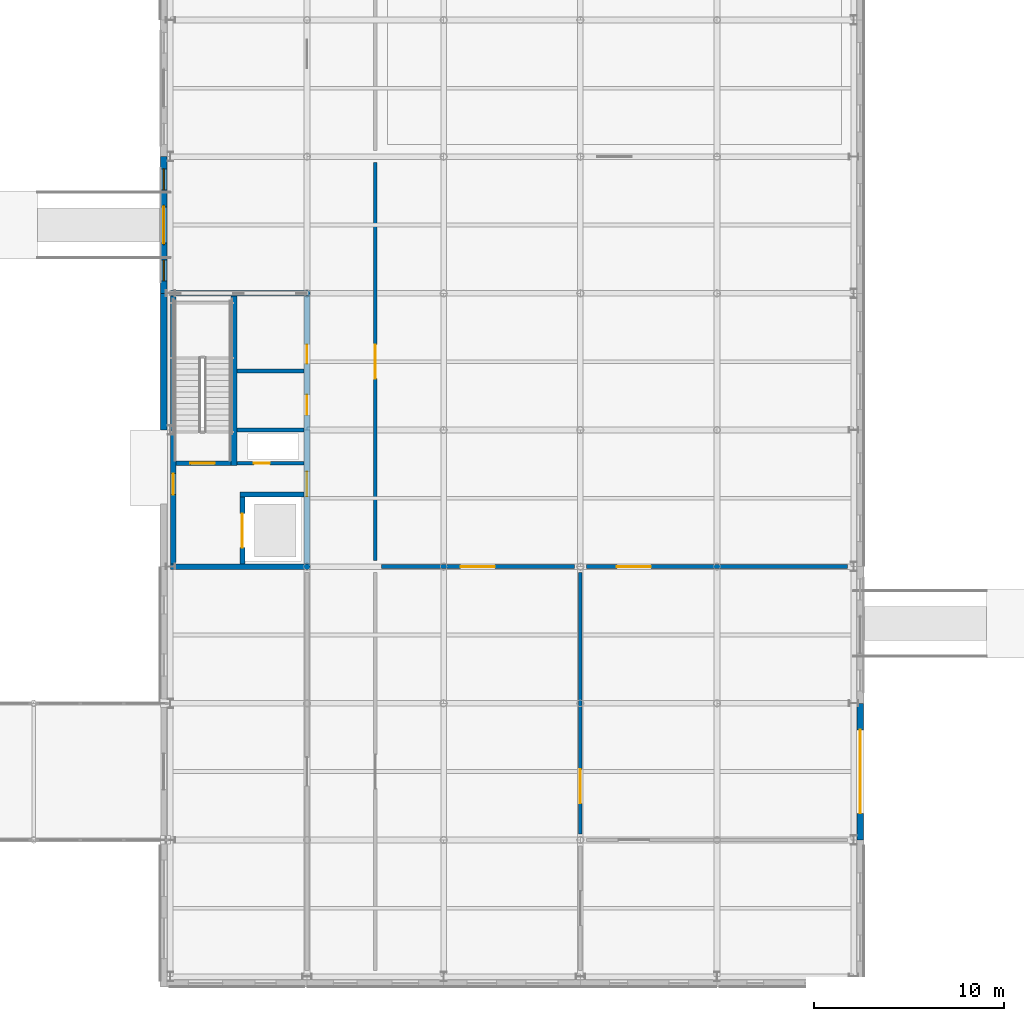
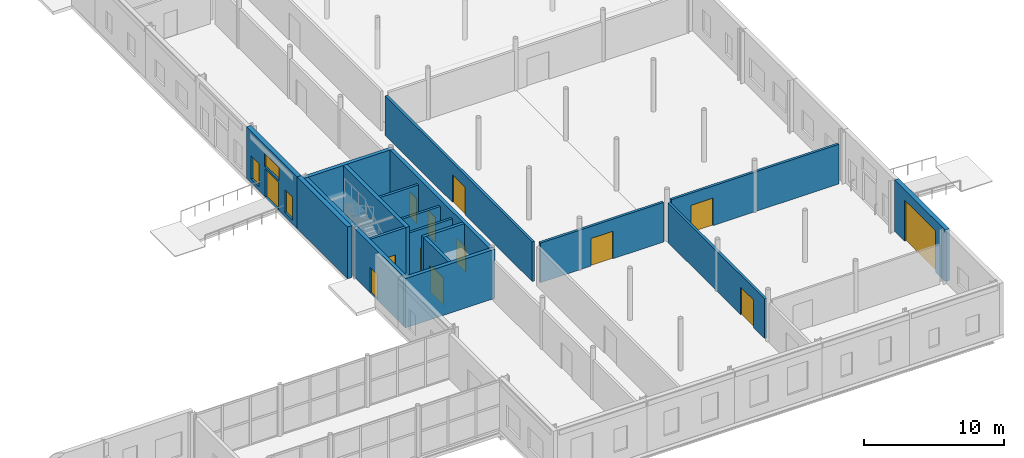
# One storey, part 67 of 92: 19 walls, 13 doors, 3 windows, 16 openings.
"""IFC4 building model written with IfcOpenShell, lengths in metres."""

from ifc_helpers import new_model, si_unit, direction, frame, frame_2d, origin, place, context, subcontext, project, spatial, rectangle, extrude, material, layer, layer_set, type_object, element, fill, save


model = new_model("IFC4")

# Units and contexts
model_context = context("Model", 3, precision=1e-05, world=origin(), true_north=direction((0.0, 1.0)))
body_context = subcontext(model_context, "Body", "Model", "MODEL_VIEW")
ifc_project = project(units=[si_unit("LENGTHUNIT", "METRE"), si_unit("AREAUNIT", "SQUARE_METRE"), si_unit("VOLUMEUNIT", "CUBIC_METRE"), si_unit("PLANEANGLEUNIT", "RADIAN"), si_unit("MASSUNIT", "GRAM", prefix="KILO")], contexts=[model_context])

# Site, building, storey
site_placement = place(None, origin())
site = spatial("IfcSite", under=ifc_project, at=site_placement, CompositionType="ELEMENT")
building_placement = place(site_placement, origin())
building = spatial("IfcBuilding", under=site, at=building_placement, Name="Zlatovets Crest Museum", CompositionType="ELEMENT")
storey_placement = place(building_placement, origin())
storey = spatial("IfcBuildingStorey", under=building, at=storey_placement, Name="L00", CompositionType="ELEMENT", Elevation=0.0)

# Walls
ifc_material_1 = material(Name="Concrete C35/45", Category="concrete")
ifc_layer_1 = layer(ifc_material_1, 0.300048828125)
ifc_layer_set_1 = layer_set([ifc_layer_1], Name="Concrete C35/45")
wall_type_1 = type_object("IfcWallType", Name="CoreWall_SW01", PredefinedType="SHEAR", material=ifc_layer_set_1)
for number, where, z_axis, x_axis, name in (
    (1, (129.60009765625, 36.0, 0.0), (0.0, 0.0, 1.0), (1.0, 0.0, 0.0), "Core C5 L00 South Shear Wall"),
    (2, (129.60009765625, 50.39990234375, 0.0), (0.0, 0.0, 1.0), (1.0, 0.0, 0.0), "Core C5 L00 North Shear Wall"),
):
    element("IfcWall", number, at=place(storey_placement, frame(where, z_axis=z_axis, x_axis=x_axis)), inside=storey, type_object=wall_type_1, Name=name, PredefinedType="SHEAR", context=body_context, shape_type="SweptSolid", body=[
        extrude(rectangle(XDim=7.349853515625, YDim=0.300048828125, at=frame_2d((3.6748046875, 0.0))), origin(), (0.0, 0.0, 1.0), 4.280029296875),
    ])

# Wall, opening, door
wall_1_placement = place(storey_placement, frame((129.75, 36.14990234375, 0.0), z_axis=(0.0, 0.0, 1.0), x_axis=(0.0, 1.0, 0.0)))
wall_1 = element("IfcWall", 3, at=wall_1_placement, inside=storey, type_object=wall_type_1, Name="Core C5 L00 Protected Lobby Exterior Shear Wall", PredefinedType="SHEAR", context=body_context, shape_type="SweptSolid", body=[
    extrude(rectangle(XDim=7.050048828125, YDim=0.300048828125, at=frame_2d((3.52490234375, 0.0))), origin(), (0.0, 0.0, 1.0), 4.280029296875),
])
opening_1_placement = place(wall_1_placement, frame((3.64990234375, 0.0, 0.0)))
opening_1 = element("IfcOpeningElement", 4, at=opening_1_placement, cuts=wall_1, Name="Opening ED-03", PredefinedType="OPENING", context=body_context, shape_type="SweptSolid", body=[
    extrude(rectangle(XDim=1.10009765625, YDim=2.199951171875, at=frame_2d((0.550048828125, 1.10009765625))), frame((0.0, 0.16015625, 0.0), z_axis=(0.0, -1.0, 0.0), x_axis=(1.0, 0.0, 0.0)), (0.0, 0.0, 1.0), 0.320068359375),
])
ifc_material_2 = material(Name="Bronze-clad insulated steel door", Category="steel")
door_type_1 = type_object("IfcDoorType", Name="ExtDoor_ED-03", OperationType="NOTDEFINED", PredefinedType="DOOR", material=ifc_material_2)
door_1_placement = place(opening_1_placement, origin())
door_1 = element("IfcDoor", 5, at=door_1_placement, inside=storey, type_object=door_type_1, Name="ED-ST5-EXIT Stair ST5 Direct Final Exterior Exit Door", OperationType="SINGLE_SWING_LEFT", OverallHeight=2.199951171875, OverallWidth=1.10009765625, PredefinedType="DOOR", context=body_context, shape_type="SweptSolid", body=[
    extrude(rectangle(XDim=1.10009765625, YDim=2.199951171875, at=frame_2d((0.550048828125, 1.10009765625))), frame((0.0, 0.02490234375, 0.0), z_axis=(0.0, -1.0, 0.0), x_axis=(1.0, 0.0, 0.0)), (0.0, 0.0, 1.0), 0.050048828125),
])
fill(opening_1, door_1)

# Wall
wall_2_placement = place(storey_placement, frame((129.75, 43.199951171875, 0.0), z_axis=(0.0, 0.0, 1.0), x_axis=(0.0, 1.0, 0.0)))
element("IfcWall", 6, at=wall_2_placement, inside=storey, type_object=wall_type_1, Name="Core C5 L00 Stairwell Perimeter Shear Wall", PredefinedType="SHEAR", context=body_context, shape_type="SweptSolid", body=[
    extrude(rectangle(XDim=7.050048828125, YDim=0.300048828125, at=frame_2d((3.52490234375, 0.0))), origin(), (0.0, 0.0, 1.0), 4.280029296875),
])

# Wall, openings, doors
wall_3_placement = place(storey_placement, frame((136.800048828125, 36.14990234375, 0.0), z_axis=(0.0, 0.0, 1.0), x_axis=(0.0, 1.0, 0.0)))
wall_3 = element("IfcWall", 7, at=wall_3_placement, inside=storey, type_object=wall_type_1, Name="Core C5 L00 Spine Shear Wall", PredefinedType="SHEAR", context=body_context, shape_type="SweptSolid", body=[
    extrude(rectangle(XDim=14.10009765625, YDim=0.300048828125, at=frame_2d((7.050048828125, 0.0))), origin(), (0.0, 0.0, 1.0), 4.280029296875),
])
opening_2_placement = place(wall_3_placement, frame((3.550048828125, 0.0, 0.0)))
opening_2 = element("IfcOpeningElement", 8, at=opening_2_placement, cuts=wall_3, Name="Opening FD-01", PredefinedType="OPENING", context=body_context, shape_type="SweptSolid", body=[
    extrude(rectangle(XDim=1.300048828125, YDim=2.199951171875, at=frame_2d((0.64990234375, 1.10009765625))), frame((0.0, 0.16015625, 0.0), z_axis=(0.0, -1.0, 0.0), x_axis=(1.0, 0.0, 0.0)), (0.0, 0.0, 1.0), 0.320068359375),
])
opening_3_placement = place(wall_3_placement, frame((7.85009765625, 0.0, 0.0)))
opening_3 = element("IfcOpeningElement", 9, at=opening_3_placement, cuts=wall_3, Name="Opening ID-02", PredefinedType="OPENING", context=body_context, shape_type="SweptSolid", body=[
    extrude(rectangle(XDim=1.050048828125, YDim=2.14990234375, at=frame_2d((0.52490234375, 1.074951171875))), frame((0.0, 0.16015625, 0.0), z_axis=(0.0, -1.0, 0.0), x_axis=(1.0, 0.0, 0.0)), (0.0, 0.0, 1.0), 0.320068359375),
])
opening_4_placement = place(wall_3_placement, frame((10.550048828125, 0.0, 0.0)))
opening_4 = element("IfcOpeningElement", 10, at=opening_4_placement, cuts=wall_3, Name="Opening ID-01", PredefinedType="OPENING", context=body_context, shape_type="SweptSolid", body=[
    extrude(rectangle(XDim=1.0, YDim=2.14990234375, at=frame_2d((0.5, 1.074951171875))), frame((0.0, 0.16015625, 0.0), z_axis=(0.0, -1.0, 0.0), x_axis=(1.0, 0.0, 0.0)), (0.0, 0.0, 1.0), 0.320068359375),
])
ifc_material_3 = material(Name="Smoke-sealed steel fire door", Category="steel")
door_type_2 = type_object("IfcDoorType", Name="IntDoor_FD-01", OperationType="NOTDEFINED", PredefinedType="DOOR", material=ifc_material_3)
door_2_placement = place(opening_2_placement, origin())
door_2 = element("IfcDoor", 11, at=door_2_placement, inside=storey, type_object=door_type_2, Name="CDOOR-C5-L00-LOB Core C5 L00 Lobby Fire Door", OperationType="SINGLE_SWING_RIGHT", OverallHeight=2.199951171875, OverallWidth=1.300048828125, PredefinedType="DOOR", context=body_context, shape_type="SweptSolid", body=[
    extrude(rectangle(XDim=1.300048828125, YDim=2.199951171875, at=frame_2d((0.64990234375, 1.10009765625))), frame((0.0, 0.02490234375, 0.0), z_axis=(0.0, -1.0, 0.0), x_axis=(1.0, 0.0, 0.0)), (0.0, 0.0, 1.0), 0.050048828125),
])
fill(opening_2, door_2)
ifc_material_4 = material(Name="Solid oak museum room door")
door_type_3 = type_object("IfcDoorType", Name="IntDoor_ID-01", OperationType="NOTDEFINED", PredefinedType="DOOR", material=ifc_material_4)
door_3_placement = place(opening_4_placement, origin())
door_3 = element("IfcDoor", 12, at=door_3_placement, inside=storey, type_object=door_type_3, Name="CDOOR-C5-L00-WC Core C5 L00 Public Restroom Door", OperationType="SINGLE_SWING_RIGHT", OverallHeight=2.14990234375, OverallWidth=1.0, PredefinedType="DOOR", context=body_context, shape_type="SweptSolid", body=[
    extrude(rectangle(XDim=1.0, YDim=2.14990234375, at=frame_2d((0.5, 1.074951171875))), frame((0.0, 0.02490234375, 0.0), z_axis=(0.0, -1.0, 0.0), x_axis=(1.0, 0.0, 0.0)), (0.0, 0.0, 1.0), 0.050048828125),
])
fill(opening_4, door_3)
ifc_material_5 = material(Name="Accessible sanitary room door")
door_type_4 = type_object("IfcDoorType", Name="IntDoor_ID-02", OperationType="NOTDEFINED", PredefinedType="DOOR", material=ifc_material_5)
door_4_placement = place(opening_3_placement, origin())
door_4 = element("IfcDoor", 13, at=door_4_placement, inside=storey, type_object=door_type_4, Name="CDOOR-C5-L00-AWC Core C5 L00 Accessible WC Door", OperationType="SINGLE_SWING_LEFT", OverallHeight=2.14990234375, OverallWidth=1.050048828125, PredefinedType="DOOR", context=body_context, shape_type="SweptSolid", body=[
    extrude(rectangle(XDim=1.050048828125, YDim=2.14990234375, at=frame_2d((0.52490234375, 1.074951171875))), frame((0.0, 0.02490234375, 0.0), z_axis=(0.0, -1.0, 0.0), x_axis=(1.0, 0.0, 0.0)), (0.0, 0.0, 1.0), 0.050048828125),
])
fill(opening_3, door_4)

# Wall
wall_4_placement = place(storey_placement, frame((132.949951171875, 41.340087890625, 0.0), z_axis=(0.0, 0.0, 1.0), x_axis=(0.0, 1.0, 0.0)))
element("IfcWall", 14, at=wall_4_placement, inside=storey, type_object=wall_type_1, Name="Core C5 L00 Stair Divider Wall", PredefinedType="SHEAR", context=body_context, shape_type="SweptSolid", body=[
    extrude(rectangle(XDim=8.909912109375, YDim=0.300048828125, at=frame_2d((4.455078125, 0.0))), origin(), (0.0, 0.0, 1.0), 4.280029296875),
])

# Wall, opening, door
ifc_layer_2 = layer(ifc_material_1, 0.25)
ifc_layer_set_2 = layer_set([ifc_layer_2], Name="Concrete C35/45")
wall_type_2 = type_object("IfcWallType", Name="CoreWall_SW02", PredefinedType="SHEAR", material=ifc_layer_set_2)
wall_5_placement = place(storey_placement, frame((133.39990234375, 36.14990234375, 0.0), z_axis=(0.0, 0.0, 1.0), x_axis=(0.0, 1.0, 0.0)))
wall_5 = element("IfcWall", 15, at=wall_5_placement, inside=storey, type_object=wall_type_2, Name="Core C5 L00 Lift Shaft Wall", PredefinedType="SHEAR", context=body_context, shape_type="SweptSolid", body=[
    extrude(rectangle(XDim=3.525146484375, YDim=0.25, at=frame_2d((1.7626953125, 0.0))), origin(), (0.0, 0.0, 1.0), 4.280029296875),
])
opening_5_placement = place(wall_5_placement, frame((0.85009765625, 0.0, 0.0)))
opening_5 = element("IfcOpeningElement", 16, at=opening_5_placement, cuts=wall_5, Name="Opening LD-02", PredefinedType="OPENING", context=body_context, shape_type="SweptSolid", body=[
    extrude(rectangle(XDim=1.800048828125, YDim=2.35009765625, at=frame_2d((0.89990234375, 1.175048828125))), frame((0.0, 0.135009765625, 0.0), z_axis=(0.0, -1.0, 0.0), x_axis=(1.0, 0.0, 0.0)), (0.0, 0.0, 1.0), 0.27001953125),
])
ifc_material_6 = material(Name="Heavy sliding goods-lift landing door")
door_type_5 = type_object("IfcDoorType", Name="IntDoor_LD-02", OperationType="SLIDING_TO_LEFT", PredefinedType="DOOR", material=ifc_material_6)
door_5_placement = place(opening_5_placement, origin())
door_5 = element("IfcDoor", 17, at=door_5_placement, inside=storey, type_object=door_type_5, Name="LDOOR-GL1-L00 Lift GL1 L00 Sliding Landing Door", OperationType="SLIDING_TO_LEFT", OverallHeight=2.35009765625, OverallWidth=1.800048828125, PredefinedType="DOOR", context=body_context, shape_type="SweptSolid", body=[
    extrude(rectangle(XDim=1.800048828125, YDim=2.35009765625, at=frame_2d((0.89990234375, 1.175048828125))), frame((0.0, 0.02490234375, 0.0), z_axis=(0.0, -1.0, 0.0), x_axis=(1.0, 0.0, 0.0)), (0.0, 0.0, 1.0), 0.050048828125),
])
fill(opening_5, door_5)

wall_6_placement = place(storey_placement, frame((129.89990234375, 41.449951171875, 0.0), z_axis=(0.0, 0.0, 1.0), x_axis=(1.0, 0.0, 0.0)))
wall_6 = element("IfcWall", 18, at=wall_6_placement, inside=storey, type_object=wall_type_2, Name="Core C5 L00 Stairwell Fire Wall", PredefinedType="SHEAR", context=body_context, shape_type="SweptSolid", body=[
    extrude(rectangle(XDim=2.900146484375, YDim=0.219970703125, at=frame_2d((1.4501953125, 0.0))), origin(), (0.0, 0.0, 1.0), 4.280029296875),
])
opening_6_placement = place(wall_6_placement, frame((0.75, 0.0, 0.0)))
opening_6 = element("IfcOpeningElement", 19, at=opening_6_placement, cuts=wall_6, Name="Opening FD-01", PredefinedType="OPENING", context=body_context, shape_type="SweptSolid", body=[
    extrude(rectangle(XDim=1.300048828125, YDim=2.199951171875, at=frame_2d((0.64990234375, 1.10009765625))), frame((0.0, 0.1201171875, 0.0), z_axis=(0.0, -1.0, 0.0), x_axis=(1.0, 0.0, 0.0)), (0.0, 0.0, 1.0), 0.239990234375),
])
door_6_placement = place(opening_6_placement, origin())
door_6 = element("IfcDoor", 20, at=door_6_placement, inside=storey, type_object=door_type_2, Name="SDOOR-ST5-L00 Stair ST5 L00 Fire Door", OperationType="SINGLE_SWING_LEFT", OverallHeight=2.199951171875, OverallWidth=1.300048828125, PredefinedType="DOOR", context=body_context, shape_type="SweptSolid", body=[
    extrude(rectangle(XDim=1.300048828125, YDim=2.199951171875, at=frame_2d((0.64990234375, 1.10009765625))), frame((0.0, 0.02490234375, 0.0), z_axis=(0.0, -1.0, 0.0), x_axis=(1.0, 0.0, 0.0)), (0.0, 0.0, 1.0), 0.050048828125),
])
fill(opening_6, door_6)

# Wall
wall_7_placement = place(storey_placement, frame((133.27490234375, 39.800048828125, 0.0), z_axis=(0.0, 0.0, 1.0), x_axis=(1.0, 0.0, 0.0)))
element("IfcWall", 21, at=wall_7_placement, inside=storey, type_object=wall_type_2, Name="Core C5 L00 Lift Shaft North Shear Wall", PredefinedType="SHEAR", context=body_context, shape_type="SweptSolid", body=[
    extrude(rectangle(XDim=3.375, YDim=0.25, at=frame_2d((1.6875, 0.0))), origin(), (0.0, 0.0, 1.0), 4.280029296875),
])

# Wall, opening, door
ifc_material_7 = material(Name="Vratsa limestone ashlar masonry and mineral wool", Category="masonry")
ifc_layer_3 = layer(ifc_material_7, 0.35009765625)
ifc_layer_set_3 = layer_set([ifc_layer_3], Name="Vratsa limestone ashlar masonry and mineral wool")
wall_type_3 = type_object("IfcWallType", Name="ExtWall_EW-01", PredefinedType="STANDARD", material=ifc_layer_set_3)
wall_8_placement = place(storey_placement, frame((165.93994140625, 21.60009765625, 0.0), z_axis=(0.0, 0.0, 1.0), x_axis=(0.0, 1.0, 0.0)))
wall_8 = element("IfcWall", 22, at=wall_8_placement, inside=storey, type_object=wall_type_3, Name="V5 L00 Sculpted Art Nouveau Portal Wall", PredefinedType="STANDARD", context=body_context, shape_type="SweptSolid", body=[
    extrude(rectangle(XDim=7.199951171875, YDim=0.35009765625, at=frame_2d((3.60009765625, 0.0))), origin(), (0.0, 0.0, 1.0), 4.5),
])
opening_7_placement = place(wall_8_placement, frame((1.39990234375, 0.0, 0.0)))
opening_7 = element("IfcOpeningElement", 23, at=opening_7_placement, cuts=wall_8, Name="Opening VD-01", PredefinedType="OPENING", context=body_context, shape_type="SweptSolid", body=[
    extrude(rectangle(XDim=4.39990234375, YDim=3.60009765625, at=frame_2d((2.199951171875, 1.800048828125))), frame((0.0, 0.18505859375, 0.0), z_axis=(0.0, -1.0, 0.0), x_axis=(1.0, 0.0, 0.0)), (0.0, 0.0, 1.0), 0.3701171875),
])
ifc_material_8 = material(Name="Insulated steel roller-shutter loading gate", Category="steel")
door_type_6 = type_object("IfcDoorType", Name="ExtDoor_VD-01", OperationType="NOTDEFINED", PredefinedType="GATE", material=ifc_material_8)
door_7_placement = place(opening_7_placement, origin())
door_7 = element("IfcDoor", 24, at=door_7_placement, inside=storey, type_object=door_type_6, Name="VD-V5-L00-DOCK Loading Dock Roller Shutter Gate VD-01", OperationType="ROLLINGUP", OverallHeight=3.60009765625, OverallWidth=4.39990234375, PredefinedType="GATE", context=body_context, shape_type="SweptSolid", body=[
    extrude(rectangle(XDim=4.39990234375, YDim=3.60009765625, at=frame_2d((2.199951171875, 1.800048828125))), frame((0.0, 0.02490234375, 0.0), z_axis=(0.0, -1.0, 0.0), x_axis=(1.0, 0.0, 0.0)), (0.0, 0.0, 1.0), 0.050048828125),
])
fill(opening_7, door_7)

# Wall, openings, door, windows
wall_9_placement = place(storey_placement, frame((129.260009765625, 57.60009765625, 0.0), z_axis=(0.0, 0.0, 1.0), x_axis=(0.0, -1.0, 0.0)))
wall_9 = element("IfcWall", 25, at=wall_9_placement, inside=storey, type_object=wall_type_3, Name="V5 L00 Sculpted Art Nouveau Portal Wall", PredefinedType="STANDARD", context=body_context, shape_type="SweptSolid", body=[
    extrude(rectangle(XDim=7.2001953125, YDim=0.35009765625, at=frame_2d((3.60009765625, 0.0))), origin(), (0.0, 0.0, 1.0), 4.5),
])
opening_8_placement = place(wall_9_placement, frame((2.64990234375, 0.0, 0.0)))
opening_8 = element("IfcOpeningElement", 26, at=opening_8_placement, cuts=wall_9, Name="Opening ED-02", PredefinedType="OPENING", context=body_context, shape_type="SweptSolid", body=[
    extrude(rectangle(XDim=1.89990234375, YDim=2.449951171875, at=frame_2d((0.949951171875, 1.22509765625))), frame((0.0, 0.18505859375, 0.0), z_axis=(0.0, -1.0, 0.0), x_axis=(1.0, 0.0, 0.0)), (0.0, 0.0, 1.0), 0.3701171875),
])
opening_9_placement = place(wall_9_placement, frame((2.550048828125, 0.0, 2.60009765625)))
opening_9 = element("IfcOpeningElement", 27, at=opening_9_placement, cuts=wall_9, Name="Opening WN-13", PredefinedType="OPENING", context=body_context, shape_type="SweptSolid", body=[
    extrude(rectangle(XDim=2.10009765625, YDim=1.14990234375, at=frame_2d((1.050048828125, 0.574951171875))), frame((0.0, 0.18505859375, 0.0), z_axis=(0.0, -1.0, 0.0), x_axis=(1.0, 0.0, 0.0)), (0.0, 0.0, 1.0), 0.3701171875),
])
opening_10_placement = place(wall_9_placement, frame((0.64990234375, 0.0, 0.35009765625)))
opening_10 = element("IfcOpeningElement", 28, at=opening_10_placement, cuts=wall_9, Name="Opening WN-06", PredefinedType="OPENING", context=body_context, shape_type="SweptSolid", body=[
    extrude(rectangle(XDim=1.10009765625, YDim=2.0, at=frame_2d((0.550048828125, 1.0))), frame((0.0, 0.18505859375, 0.0), z_axis=(0.0, -1.0, 0.0), x_axis=(1.0, 0.0, 0.0)), (0.0, 0.0, 1.0), 0.3701171875),
])
opening_11_placement = place(wall_9_placement, frame((5.449951171875, 0.0, 0.35009765625)))
opening_11 = element("IfcOpeningElement", 29, at=opening_11_placement, cuts=wall_9, Name="Opening WN-06", PredefinedType="OPENING", context=body_context, shape_type="SweptSolid", body=[
    extrude(rectangle(XDim=1.10009765625, YDim=2.0, at=frame_2d((0.550048828125, 1.0))), frame((0.0, 0.18505859375, 0.0), z_axis=(0.0, -1.0, 0.0), x_axis=(1.0, 0.0, 0.0)), (0.0, 0.0, 1.0), 0.3701171875),
])
door_type_7 = type_object("IfcDoorType", Name="ExtDoor_ED-02", OperationType="NOTDEFINED", PredefinedType="DOOR", material=ifc_material_2)
door_8_placement = place(opening_8_placement, origin())
door_8 = element("IfcDoor", 30, at=door_8_placement, inside=storey, type_object=door_type_7, Name="ED-V5-L00-P045 CONSERVATION COURT PORTAL Exit Door", OperationType="DOUBLE_DOOR_SINGLE_SWING", OverallHeight=2.449951171875, OverallWidth=1.89990234375, PredefinedType="DOOR", context=body_context, shape_type="SweptSolid", body=[
    extrude(rectangle(XDim=1.89990234375, YDim=2.449951171875, at=frame_2d((0.949951171875, 1.22509765625))), frame((0.0, 0.02490234375, 0.0), z_axis=(0.0, -1.0, 0.0), x_axis=(1.0, 0.0, 0.0)), (0.0, 0.0, 1.0), 0.050048828125),
])
fill(opening_8, door_8)
ifc_material_9 = material(Name="Bronze-anodised aluminium frame with low-E triple glass", Category="aluminium")
window_type_1 = type_object("IfcWindowType", Name="Win_WN-06", PartitioningType="SINGLE_PANEL", PredefinedType="WINDOW", material=ifc_material_9)
window_1_placement = place(opening_10_placement, origin())
window_1 = element("IfcWindow", 31, at=window_1_placement, inside=storey, type_object=window_type_1, Name="CONSERVATION COURT PORTAL Glazed Portal Sidelight 1", OverallHeight=2.0, OverallWidth=1.10009765625, PartitioningType="SINGLE_PANEL", PredefinedType="WINDOW", context=body_context, shape_type="SweptSolid", body=[
    extrude(rectangle(XDim=1.10009765625, YDim=2.0, at=frame_2d((0.550048828125, 1.0))), frame((0.0, 0.030029296875, 0.0), z_axis=(0.0, -1.0, 0.0), x_axis=(1.0, 0.0, 0.0)), (0.0, 0.0, 1.0), 0.06005859375),
])
fill(opening_10, window_1)
window_2_placement = place(opening_11_placement, origin())
window_2 = element("IfcWindow", 32, at=window_2_placement, inside=storey, type_object=window_type_1, Name="CONSERVATION COURT PORTAL Glazed Portal Sidelight 2", OverallHeight=2.0, OverallWidth=1.10009765625, PartitioningType="SINGLE_PANEL", PredefinedType="WINDOW", context=body_context, shape_type="SweptSolid", body=[
    extrude(rectangle(XDim=1.10009765625, YDim=2.0, at=frame_2d((0.550048828125, 1.0))), frame((0.0, 0.030029296875, 0.0), z_axis=(0.0, -1.0, 0.0), x_axis=(1.0, 0.0, 0.0)), (0.0, 0.0, 1.0), 0.06005859375),
])
fill(opening_11, window_2)
window_type_2 = type_object("IfcWindowType", Name="Win_WN-13", PartitioningType="SINGLE_PANEL", PredefinedType="WINDOW", material=ifc_material_9)
window_3_placement = place(opening_9_placement, origin())
window_3 = element("IfcWindow", 33, at=window_3_placement, inside=storey, type_object=window_type_2, Name="CONSERVATION COURT PORTAL Arched Portal Fanlight", OverallHeight=1.14990234375, OverallWidth=2.10009765625, PartitioningType="SINGLE_PANEL", PredefinedType="WINDOW", context=body_context, shape_type="SweptSolid", body=[
    extrude(rectangle(XDim=2.10009765625, YDim=1.14990234375, at=frame_2d((1.050048828125, 0.574951171875))), frame((0.0, 0.030029296875, 0.0), z_axis=(0.0, -1.0, 0.0), x_axis=(1.0, 0.0, 0.0)), (0.0, 0.0, 1.0), 0.06005859375),
])
fill(opening_9, window_3)

# Wall
wall_10_placement = place(storey_placement, frame((129.260009765625, 50.39990234375, 0.0), z_axis=(0.0, 0.0, 1.0), x_axis=(0.0, -1.0, 0.0)))
element("IfcWall", 34, at=wall_10_placement, inside=storey, type_object=wall_type_3, Name="V5 L00 Vratsa Limestone Core Plinth", PredefinedType="STANDARD", context=body_context, shape_type="SweptSolid", body=[
    extrude(rectangle(XDim=7.199951171875, YDim=0.35009765625, at=frame_2d((3.60009765625, 0.0))), origin(), (0.0, 0.0, 1.0), 4.5),
])

# Wall, opening, door
ifc_material_10 = material(Name="Gypsum-encased fire compartment partition")
ifc_layer_4 = layer(ifc_material_10, 0.199951171875)
ifc_layer_set_4 = layer_set([ifc_layer_4], Name="Gypsum-encased fire compartment partition")
wall_type_4 = type_object("IfcWallType", Name="PartWall_PT-01", PredefinedType="PARTITIONING", material=ifc_layer_set_4)
wall_11_placement = place(storey_placement, frame((140.39990234375, 36.320068359375, 0.0), z_axis=(0.0, 0.0, 1.0), x_axis=(0.0, 1.0, 0.0)))
wall_11 = element("IfcWall", 35, at=wall_11_placement, inside=storey, type_object=wall_type_4, Name="V5 L00 Interior Partition PT-01", PredefinedType="PARTITIONING", context=body_context, shape_type="SweptSolid", body=[
    extrude(rectangle(XDim=20.9599609375, YDim=0.199951171875, at=frame_2d((10.47998046875, 0.0))), origin(), (0.0, 0.0, 1.0), 3.449951171875),
])
opening_12_placement = place(wall_11_placement, frame((9.580078125, 0.0, 0.0)))
opening_12 = element("IfcOpeningElement", 36, at=opening_12_placement, cuts=wall_11, Name="Opening FD-04", PredefinedType="OPENING", context=body_context, shape_type="SweptSolid", body=[
    extrude(rectangle(XDim=1.800048828125, YDim=2.39990234375, at=frame_2d((0.89990234375, 1.199951171875))), frame((0.0, 0.10986328125, 0.0), z_axis=(0.0, -1.0, 0.0), x_axis=(1.0, 0.0, 0.0)), (0.0, 0.0, 1.0), 0.219970703125),
])
ifc_material_11 = material(Name="Archive vault heavy fire door")
door_type_8 = type_object("IfcDoorType", Name="IntDoor_FD-04", OperationType="DOUBLE_DOOR_SINGLE_SWING", PredefinedType="DOOR", material=ifc_material_11)
door_9_placement = place(opening_12_placement, origin())
door_9 = element("IfcDoor", 37, at=door_9_placement, inside=storey, type_object=door_type_8, Name="IDOOR-V5-L00-0081 Conservation Ground Corridor to Collection Transit Archive Door", OperationType="DOUBLE_DOOR_SINGLE_SWING", OverallHeight=2.39990234375, OverallWidth=1.800048828125, PredefinedType="DOOR", context=body_context, shape_type="SweptSolid", body=[
    extrude(rectangle(XDim=1.800048828125, YDim=2.39990234375, at=frame_2d((0.89990234375, 1.199951171875))), frame((0.0, 0.02490234375, 0.0), z_axis=(0.0, -1.0, 0.0), x_axis=(1.0, 0.0, 0.0)), (0.0, 0.0, 1.0), 0.050048828125),
])
fill(opening_12, door_9)

wall_12_placement = place(storey_placement, frame((151.199951171875, 21.919921875, 0.0), z_axis=(0.0, 0.0, 1.0), x_axis=(0.0, 1.0, 0.0)))
wall_12 = element("IfcWall", 38, at=wall_12_placement, inside=storey, type_object=wall_type_4, Name="V5 L00 Interior Partition PT-01", PredefinedType="PARTITIONING", context=body_context, shape_type="SweptSolid", body=[
    extrude(rectangle(XDim=13.760009765625, YDim=0.199951171875, at=frame_2d((6.8798828125, 0.0))), origin(), (0.0, 0.0, 1.0), 3.449951171875),
])
opening_13_placement = place(wall_12_placement, frame((1.601806640625, 0.0, 0.0)))
opening_13 = element("IfcOpeningElement", 39, at=opening_13_placement, cuts=wall_12, Name="Opening FD-04", PredefinedType="OPENING", context=body_context, shape_type="SweptSolid", body=[
    extrude(rectangle(XDim=1.800048828125, YDim=2.39990234375, at=frame_2d((0.89990234375, 1.199951171875))), frame((0.0, 0.10986328125, 0.0), z_axis=(0.0, -1.0, 0.0), x_axis=(1.0, 0.0, 0.0)), (0.0, 0.0, 1.0), 0.219970703125),
])
door_10_placement = place(opening_13_placement, origin())
door_10 = element("IfcDoor", 40, at=door_10_placement, inside=storey, type_object=door_type_8, Name="IDOOR-V5-L00-0088 Enclosed Loading Dock to Art Unpacking and Crating Hall Door", OperationType="DOUBLE_DOOR_SINGLE_SWING", OverallHeight=2.39990234375, OverallWidth=1.800048828125, PredefinedType="DOOR", context=body_context, shape_type="SweptSolid", body=[
    extrude(rectangle(XDim=1.800048828125, YDim=2.39990234375, at=frame_2d((0.89990234375, 1.199951171875))), frame((0.0, 0.02490234375, 0.0), z_axis=(0.0, -1.0, 0.0), x_axis=(1.0, 0.0, 0.0)), (0.0, 0.0, 1.0), 0.050048828125),
])
fill(opening_13, door_10)

wall_13_placement = place(storey_placement, frame((151.52001953125, 36.0, 0.0), z_axis=(0.0, 0.0, 1.0), x_axis=(1.0, 0.0, 0.0)))
wall_13 = element("IfcWall", 41, at=wall_13_placement, inside=storey, type_object=wall_type_4, Name="V5 L00 Interior Partition PT-01", PredefinedType="PARTITIONING", context=body_context, shape_type="SweptSolid", body=[
    extrude(rectangle(XDim=13.760009765625, YDim=0.199951171875, at=frame_2d((6.8798828125, 0.0))), origin(), (0.0, 0.0, 1.0), 3.449951171875),
])
opening_14_placement = place(wall_13_placement, frame((1.601806640625, 0.0, 0.0)))
opening_14 = element("IfcOpeningElement", 42, at=opening_14_placement, cuts=wall_13, Name="Opening FD-04", PredefinedType="OPENING", context=body_context, shape_type="SweptSolid", body=[
    extrude(rectangle(XDim=1.800048828125, YDim=2.39990234375, at=frame_2d((0.89990234375, 1.199951171875))), frame((0.0, 0.10986328125, 0.0), z_axis=(0.0, -1.0, 0.0), x_axis=(1.0, 0.0, 0.0)), (0.0, 0.0, 1.0), 0.219970703125),
])
door_11_placement = place(opening_14_placement, origin())
door_11 = element("IfcDoor", 43, at=door_11_placement, inside=storey, type_object=door_type_8, Name="IDOOR-V5-L00-0090 Enclosed Loading Dock to Collection Transit Archive Door", OperationType="DOUBLE_DOOR_SINGLE_SWING", OverallHeight=2.39990234375, OverallWidth=1.800048828125, PredefinedType="DOOR", context=body_context, shape_type="SweptSolid", body=[
    extrude(rectangle(XDim=1.800048828125, YDim=2.39990234375, at=frame_2d((0.89990234375, 1.199951171875))), frame((0.0, 0.02490234375, 0.0), z_axis=(0.0, -1.0, 0.0), x_axis=(1.0, 0.0, 0.0)), (0.0, 0.0, 1.0), 0.050048828125),
])
fill(opening_14, door_11)

wall_14_placement = place(storey_placement, frame((140.719970703125, 36.0, 0.0), z_axis=(0.0, 0.0, 1.0), x_axis=(1.0, 0.0, 0.0)))
wall_14 = element("IfcWall", 44, at=wall_14_placement, inside=storey, type_object=wall_type_4, Name="V5 L00 Interior Partition PT-01", PredefinedType="PARTITIONING", context=body_context, shape_type="SweptSolid", body=[
    extrude(rectangle(XDim=10.159912109375, YDim=0.199951171875, at=frame_2d((5.080078125, 0.0))), origin(), (0.0, 0.0, 1.0), 3.449951171875),
])
opening_15_placement = place(wall_14_placement, frame((4.179931640625, 0.0, 0.0)))
opening_15 = element("IfcOpeningElement", 45, at=opening_15_placement, cuts=wall_14, Name="Opening FD-04", PredefinedType="OPENING", context=body_context, shape_type="SweptSolid", body=[
    extrude(rectangle(XDim=1.800048828125, YDim=2.39990234375, at=frame_2d((0.89990234375, 1.199951171875))), frame((0.0, 0.10986328125, 0.0), z_axis=(0.0, -1.0, 0.0), x_axis=(1.0, 0.0, 0.0)), (0.0, 0.0, 1.0), 0.219970703125),
])
door_12_placement = place(opening_15_placement, origin())
door_12 = element("IfcDoor", 46, at=door_12_placement, inside=storey, type_object=door_type_8, Name="IDOOR-V5-L00-0092 Art Unpacking and Crating Hall to Collection Transit Archive Door", OperationType="DOUBLE_DOOR_SINGLE_SWING", OverallHeight=2.39990234375, OverallWidth=1.800048828125, PredefinedType="DOOR", context=body_context, shape_type="SweptSolid", body=[
    extrude(rectangle(XDim=1.800048828125, YDim=2.39990234375, at=frame_2d((0.89990234375, 1.199951171875))), frame((0.0, 0.02490234375, 0.0), z_axis=(0.0, -1.0, 0.0), x_axis=(1.0, 0.0, 0.0)), (0.0, 0.0, 1.0), 0.050048828125),
])
fill(opening_15, door_12)

ifc_material_12 = material(Name="Sanitary core acoustic service wall")
ifc_layer_5 = layer(ifc_material_12, 0.219970703125)
ifc_layer_set_5 = layer_set([ifc_layer_5], Name="Sanitary core acoustic service wall")
wall_type_5 = type_object("IfcWallType", Name="PartWall_PT-04", PredefinedType="PLUMBINGWALL", material=ifc_layer_set_5)
wall_15_placement = place(storey_placement, frame((133.10009765625, 41.449951171875, 0.0), z_axis=(0.0, 0.0, 1.0), x_axis=(1.0, 0.0, 0.0)))
wall_15 = element("IfcWall", 47, at=wall_15_placement, inside=storey, type_object=wall_type_5, Name="Core C5 L00 Riser Lobby Wall", PredefinedType="PLUMBINGWALL", context=body_context, shape_type="SweptSolid", body=[
    extrude(rectangle(XDim=3.5498046875, YDim=0.199951171875, at=frame_2d((1.77490234375, 0.0))), origin(), (0.0, 0.0, 1.0), 3.699951171875),
])
opening_16_placement = place(wall_15_placement, frame((0.89990234375, 0.0, 0.0)))
opening_16 = element("IfcOpeningElement", 48, at=opening_16_placement, cuts=wall_15, Name="Opening FD-03", PredefinedType="OPENING", context=body_context, shape_type="SweptSolid", body=[
    extrude(rectangle(XDim=0.85009765625, YDim=2.050048828125, at=frame_2d((0.425048828125, 1.02490234375))), frame((0.0, 0.10986328125, 0.0), z_axis=(0.0, -1.0, 0.0), x_axis=(1.0, 0.0, 0.0)), (0.0, 0.0, 1.0), 0.219970703125),
])
ifc_material_13 = material(Name="Steel riser shaft access fire door", Category="steel")
door_type_9 = type_object("IfcDoorType", Name="IntDoor_FD-03", OperationType="NOTDEFINED", PredefinedType="TRAPDOOR", material=ifc_material_13)
door_13_placement = place(opening_16_placement, origin())
door_13 = element("IfcDoor", 49, at=door_13_placement, inside=storey, type_object=door_type_9, Name="CDOOR-C5-L00-RIS Core C5 L00 Riser Access Door", OperationType="SINGLE_SWING_RIGHT", OverallHeight=2.050048828125, OverallWidth=0.85009765625, PredefinedType="TRAPDOOR", context=body_context, shape_type="SweptSolid", body=[
    extrude(rectangle(XDim=0.85009765625, YDim=2.050048828125, at=frame_2d((0.425048828125, 1.02490234375))), frame((0.0, 0.02490234375, 0.0), z_axis=(0.0, -1.0, 0.0), x_axis=(1.0, 0.0, 0.0)), (0.0, 0.0, 1.0), 0.050048828125),
])
fill(opening_16, door_13)

# Walls
for number, where, z_axis, x_axis, name in (
    (50, (133.10009765625, 43.199951171875, 0.0), (0.0, 0.0, 1.0), (1.0, 0.0, 0.0), "Core C5 L00 Sanitary Divider"),
    (51, (133.10009765625, 46.300048828125, 0.0), (0.0, 0.0, 1.0), (1.0, 0.0, 0.0), "Core C5 L00 Sanitary Divider"),
):
    element("IfcWall", number, at=place(storey_placement, frame(where, z_axis=z_axis, x_axis=x_axis)), inside=storey, type_object=wall_type_5, Name=name, PredefinedType="PLUMBINGWALL", context=body_context, shape_type="SweptSolid", body=[
        extrude(rectangle(XDim=3.5498046875, YDim=0.199951171875, at=frame_2d((1.77490234375, 0.0))), origin(), (0.0, 0.0, 1.0), 3.699951171875),
    ])

save(model, "model.ifc")
